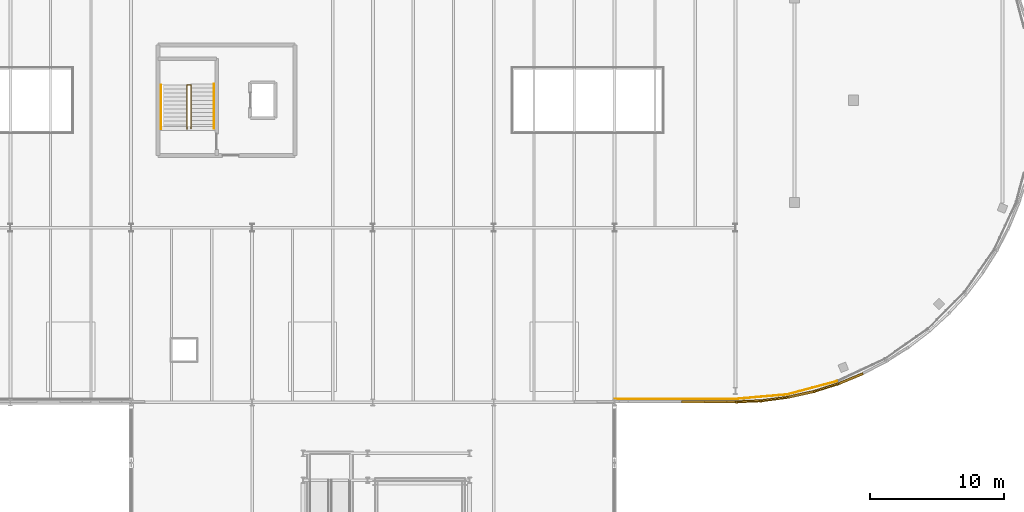
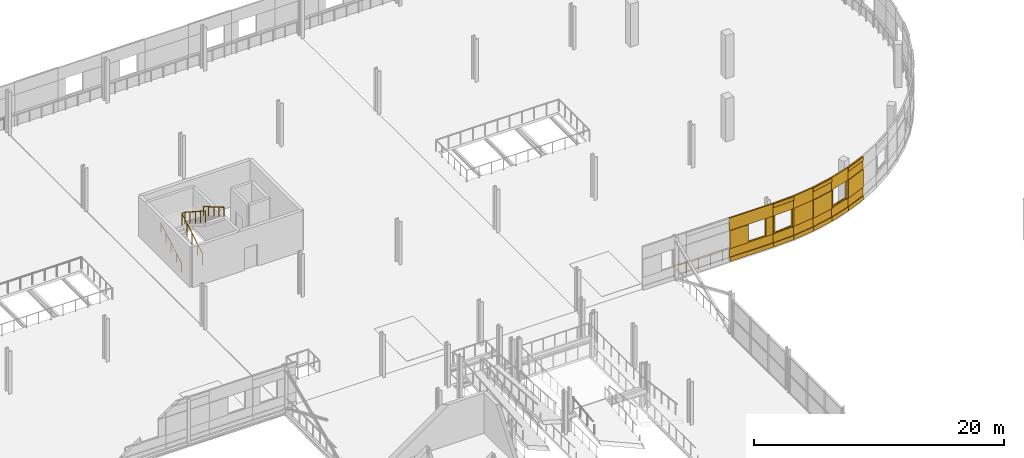
# One storey, part 126 of 132: 30 coverings, 6 railings.
"""IFC4 building model written with IfcOpenShell, lengths in metres."""

from ifc_helpers import new_model, si_unit, direction, frame, origin, origin_2d, place, context, subcontext, project, spatial, rectangle, circle, extrude, material, layer, layer_set, type_object, element, save


model = new_model("IFC4")

# Units and contexts
model_context = context("Model", 3, precision=1e-05, world=origin(), true_north=direction((0.0, 1.0)))
body_context = subcontext(model_context, "Body", "Model", "MODEL_VIEW")
ifc_project = project(units=[si_unit("LENGTHUNIT", "METRE"), si_unit("AREAUNIT", "SQUARE_METRE"), si_unit("VOLUMEUNIT", "CUBIC_METRE"), si_unit("PLANEANGLEUNIT", "RADIAN"), si_unit("MASSUNIT", "GRAM", prefix="KILO")], contexts=[model_context])

# Site, building, storey
site_placement = place(None, origin())
site = spatial("IfcSite", under=ifc_project, at=site_placement, CompositionType="ELEMENT")
building_placement = place(site_placement, origin())
building = spatial("IfcBuilding", under=site, at=building_placement, Name="Deido Ridge Mobility Hub", CompositionType="ELEMENT")
storey_placement = place(building_placement, frame((0.0, 0.0, 8.39990234375)))
storey = spatial("IfcBuildingStorey", under=building, at=storey_placement, Name="L02", CompositionType="ELEMENT", Elevation=8.39990234375)

# Coverings
ifc_material_1 = material(Name="Fired clay brick masonry", Category="masonry")
ifc_layer = layer(ifc_material_1, 0.114990234375, Name="Fired clay brick masonry")
ifc_layer_set = layer_set([ifc_layer], Name="Fired clay brick masonry")
covering_type = type_object("IfcCoveringType", Name="COV-BRK-SCREEN-115", PredefinedType="CLADDING", material=ifc_layer_set)
covering_1_placement = place(storey_placement, frame((117.978271484375, 81.09521484375, 0.0), z_axis=(0.0, 0.0, 1.0), x_axis=(0.999048982732, 0.043601950678, 0.0)))
element("IfcCovering", 1, at=covering_1_placement, inside=storey, type_object=covering_type, Name="Open brickwork spandrel course BKS1 (L02)", PredefinedType="CLADDING", context=body_context, shape_type="SweptSolid", body=[
    extrude(rectangle(XDim=1.9619140625, YDim=0.125, at=origin_2d()), origin(), (0.0, 0.0, 1.0), 1.25),
])
covering_2_placement = place(storey_placement, frame((117.9794921875, 81.067626953125, 0.000244140625), z_axis=(0.0, 0.0, 1.0), x_axis=(0.999048982732, 0.043601950678, 0.0)))
element("IfcCovering", 2, at=covering_2_placement, inside=storey, type_object=covering_type, Name="Raised brick relief belt BKS1 (L02)", PredefinedType="CLADDING", context=body_context, shape_type="SweptSolid", body=[
    extrude(rectangle(XDim=1.9619140625, YDim=0.179931640625, at=origin_2d()), origin(), (0.0, 0.0, 1.0), 0.39990234375),
])
covering_3_placement = place(storey_placement, frame((117.978271484375, 81.09521484375, 3.0), z_axis=(0.0, 0.0, 1.0), x_axis=(0.999048982732, 0.043601950678, 0.0)))
element("IfcCovering", 3, at=covering_3_placement, inside=storey, type_object=covering_type, Name="Open brickwork lintel course BKS1 (L02)", PredefinedType="CLADDING", context=body_context, shape_type="SweptSolid", body=[
    extrude(rectangle(XDim=1.9619140625, YDim=0.125, at=origin_2d()), origin(), (0.0, 0.0, 1.0), 1.199951171875),
])
covering_4_placement = place(storey_placement, frame((117.9794921875, 81.067626953125, 3.83984375), z_axis=(0.0, 0.0, 1.0), x_axis=(0.999048982732, 0.043601950678, 0.0)))
element("IfcCovering", 4, at=covering_4_placement, inside=storey, type_object=covering_type, Name="Raised brick relief cornice BKS1 (L02)", PredefinedType="CLADDING", context=body_context, shape_type="SweptSolid", body=[
    extrude(rectangle(XDim=1.9619140625, YDim=0.179931640625, at=origin_2d()), origin(), (0.0, 0.0, 1.0), 0.360107421875),
])
for number, where, z_axis, x_axis, name in (
    (5, (117.0791015625, 81.0283203125, 1.25), (0.0, 0.0, 1.0), (0.999048982732, 0.043601950678, 0.0), "Curved brick jamb nib BKS1 (L02)"),
    (6, (118.879638671875, 81.10693359375, 1.25), (0.0, 0.0, 1.0), (0.999048982732, 0.043601950678, 0.0), "Curved brick jamb nib BKS1 (L02)"),
):
    element("IfcCovering", number, at=place(storey_placement, frame(where, z_axis=z_axis, x_axis=x_axis)), inside=storey, type_object=covering_type, Name=name, PredefinedType="CLADDING", context=body_context, shape_type="SweptSolid", body=[
        extrude(rectangle(XDim=0.152099609375, YDim=0.179931640625, at=origin_2d()), origin(), (0.0, 0.0, 1.0), 1.75),
    ])
covering_5_placement = place(storey_placement, frame((119.92724609375, 81.265625, 0.0), z_axis=(0.0, 0.0, 1.0), x_axis=(0.991442583111, 0.130543496177, 0.0)))
element("IfcCovering", 7, at=covering_5_placement, inside=storey, type_object=covering_type, Name="Open brickwork spandrel course BKS1 (L02)", PredefinedType="CLADDING", context=body_context, shape_type="SweptSolid", body=[
    extrude(rectangle(XDim=1.9619140625, YDim=0.125, at=origin_2d()), origin(), (0.0, 0.0, 1.0), 1.25),
])
covering_6_placement = place(storey_placement, frame((119.930908203125, 81.23828125, 0.000244140625), z_axis=(0.0, 0.0, 1.0), x_axis=(0.991442583111, 0.130543496177, 0.0)))
element("IfcCovering", 8, at=covering_6_placement, inside=storey, type_object=covering_type, Name="Raised brick relief belt BKS1 (L02)", PredefinedType="CLADDING", context=body_context, shape_type="SweptSolid", body=[
    extrude(rectangle(XDim=1.9619140625, YDim=0.179931640625, at=origin_2d()), origin(), (0.0, 0.0, 1.0), 0.39990234375),
])
covering_7_placement = place(storey_placement, frame((119.92724609375, 81.265625, 3.0), z_axis=(0.0, 0.0, 1.0), x_axis=(0.991442583111, 0.130543496177, 0.0)))
element("IfcCovering", 9, at=covering_7_placement, inside=storey, type_object=covering_type, Name="Open brickwork lintel course BKS1 (L02)", PredefinedType="CLADDING", context=body_context, shape_type="SweptSolid", body=[
    extrude(rectangle(XDim=1.9619140625, YDim=0.125, at=origin_2d()), origin(), (0.0, 0.0, 1.0), 1.199951171875),
])
covering_8_placement = place(storey_placement, frame((119.92724609375, 81.265625, 1.25), z_axis=(0.0, 0.0, 1.0), x_axis=(0.991442583111, 0.130543496177, 0.0)))
element("IfcCovering", 10, at=covering_8_placement, inside=storey, type_object=covering_type, Name="Curved raised brickwork pier BKS1 (L02)", PredefinedType="CLADDING", context=body_context, shape_type="SweptSolid", body=[
    extrude(rectangle(XDim=1.9619140625, YDim=0.125, at=origin_2d()), origin(), (0.0, 0.0, 1.0), 1.75),
])
covering_9_placement = place(storey_placement, frame((121.85400390625, 81.60546875, 0.0), z_axis=(0.0, 0.0, 1.0), x_axis=(0.976292229387, 0.216456653485, 0.0)))
element("IfcCovering", 11, at=covering_9_placement, inside=storey, type_object=covering_type, Name="Open brickwork spandrel course BKS1 (L02)", PredefinedType="CLADDING", context=body_context, shape_type="SweptSolid", body=[
    extrude(rectangle(XDim=1.9619140625, YDim=0.125, at=origin_2d()), origin(), (0.0, 0.0, 1.0), 1.25),
])
covering_10_placement = place(storey_placement, frame((121.85986328125, 81.57861328125, 0.000244140625), z_axis=(0.0, 0.0, 1.0), x_axis=(0.976292229387, 0.216456653485, 0.0)))
element("IfcCovering", 12, at=covering_10_placement, inside=storey, type_object=covering_type, Name="Raised brick relief belt BKS1 (L02)", PredefinedType="CLADDING", context=body_context, shape_type="SweptSolid", body=[
    extrude(rectangle(XDim=1.9619140625, YDim=0.179931640625, at=origin_2d()), origin(), (0.0, 0.0, 1.0), 0.39990234375),
])
covering_11_placement = place(storey_placement, frame((121.85400390625, 81.60546875, 3.0), z_axis=(0.0, 0.0, 1.0), x_axis=(0.976292229387, 0.216456653485, 0.0)))
element("IfcCovering", 13, at=covering_11_placement, inside=storey, type_object=covering_type, Name="Open brickwork lintel course BKS1 (L02)", PredefinedType="CLADDING", context=body_context, shape_type="SweptSolid", body=[
    extrude(rectangle(XDim=1.9619140625, YDim=0.125, at=origin_2d()), origin(), (0.0, 0.0, 1.0), 1.199951171875),
])
covering_12_placement = place(storey_placement, frame((121.85986328125, 81.57861328125, 3.83984375), z_axis=(0.0, 0.0, 1.0), x_axis=(0.976292229387, 0.216456653485, 0.0)))
element("IfcCovering", 14, at=covering_12_placement, inside=storey, type_object=covering_type, Name="Raised brick relief cornice BKS1 (L02)", PredefinedType="CLADDING", context=body_context, shape_type="SweptSolid", body=[
    extrude(rectangle(XDim=1.9619140625, YDim=0.179931640625, at=origin_2d()), origin(), (0.0, 0.0, 1.0), 0.360107421875),
])
covering_13_placement = place(storey_placement, frame((121.85986328125, 81.57861328125, 1.25), z_axis=(0.0, 0.0, 1.0), x_axis=(0.976292229387, 0.216456653485, 0.0)))
element("IfcCovering", 15, at=covering_13_placement, inside=storey, type_object=covering_type, Name="Curved raised brickwork pier BKS1 (L02)", PredefinedType="CLADDING", context=body_context, shape_type="SweptSolid", body=[
    extrude(rectangle(XDim=1.9619140625, YDim=0.179931640625, at=origin_2d()), origin(), (0.0, 0.0, 1.0), 1.75),
])
covering_14_placement = place(storey_placement, frame((123.74365234375, 82.11181640625, 0.0), z_axis=(0.0, 0.0, 1.0), x_axis=(0.95372744678, 0.300672508319, 0.0)))
element("IfcCovering", 16, at=covering_14_placement, inside=storey, type_object=covering_type, Name="Open brickwork spandrel course BKS1 (L02)", PredefinedType="CLADDING", context=body_context, shape_type="SweptSolid", body=[
    extrude(rectangle(XDim=1.9619140625, YDim=0.125, at=origin_2d()), origin(), (0.0, 0.0, 1.0), 1.25),
])
covering_15_placement = place(storey_placement, frame((123.751953125, 82.085693359375, 0.000244140625), z_axis=(0.0, 0.0, 1.0), x_axis=(0.95372744678, 0.300672508319, 0.0)))
element("IfcCovering", 17, at=covering_15_placement, inside=storey, type_object=covering_type, Name="Raised brick relief belt BKS1 (L02)", PredefinedType="CLADDING", context=body_context, shape_type="SweptSolid", body=[
    extrude(rectangle(XDim=1.9619140625, YDim=0.179931640625, at=origin_2d()), origin(), (0.0, 0.0, 1.0), 0.39990234375),
])
covering_16_placement = place(storey_placement, frame((123.74365234375, 82.11181640625, 3.0), z_axis=(0.0, 0.0, 1.0), x_axis=(0.95372744678, 0.300672508319, 0.0)))
element("IfcCovering", 18, at=covering_16_placement, inside=storey, type_object=covering_type, Name="Open brickwork lintel course BKS1 (L02)", PredefinedType="CLADDING", context=body_context, shape_type="SweptSolid", body=[
    extrude(rectangle(XDim=1.9619140625, YDim=0.125, at=origin_2d()), origin(), (0.0, 0.0, 1.0), 1.199951171875),
])
for number, where, z_axis, x_axis, name in (
    (19, (122.892578125, 81.814697265625, 1.25), (0.0, 0.0, 1.0), (0.95372744678, 0.300672508319, 0.0), "Curved brick jamb nib BKS1 (L02)"),
    (20, (124.611328125, 82.3564453125, 1.25), (0.0, 0.0, 1.0), (0.95372744678, 0.300672508319, 0.0), "Curved brick jamb nib BKS1 (L02)"),
):
    element("IfcCovering", number, at=place(storey_placement, frame(where, z_axis=z_axis, x_axis=x_axis)), inside=storey, type_object=covering_type, Name=name, PredefinedType="CLADDING", context=body_context, shape_type="SweptSolid", body=[
        extrude(rectangle(XDim=0.152099609375, YDim=0.179931640625, at=origin_2d()), origin(), (0.0, 0.0, 1.0), 1.75),
    ])
covering_17_placement = place(storey_placement, frame((125.58203125, 82.781005859375, 0.0), z_axis=(0.0, 0.0, 1.0), x_axis=(0.923872853285, 0.382699557047, 0.0)))
element("IfcCovering", 21, at=covering_17_placement, inside=storey, type_object=covering_type, Name="Open brickwork spandrel course BKS1 (L02)", PredefinedType="CLADDING", context=body_context, shape_type="SweptSolid", body=[
    extrude(rectangle(XDim=1.9619140625, YDim=0.125, at=origin_2d()), origin(), (0.0, 0.0, 1.0), 1.25),
])
covering_18_placement = place(storey_placement, frame((125.5927734375, 82.755615234375, 0.000244140625), z_axis=(0.0, 0.0, 1.0), x_axis=(0.923872853285, 0.382699557047, 0.0)))
element("IfcCovering", 22, at=covering_18_placement, inside=storey, type_object=covering_type, Name="Raised brick relief belt BKS1 (L02)", PredefinedType="CLADDING", context=body_context, shape_type="SweptSolid", body=[
    extrude(rectangle(XDim=1.9619140625, YDim=0.179931640625, at=origin_2d()), origin(), (0.0, 0.0, 1.0), 0.39990234375),
])
covering_19_placement = place(storey_placement, frame((125.58203125, 82.781005859375, 3.0), z_axis=(0.0, 0.0, 1.0), x_axis=(0.923872853285, 0.382699557047, 0.0)))
element("IfcCovering", 23, at=covering_19_placement, inside=storey, type_object=covering_type, Name="Open brickwork lintel course BKS1 (L02)", PredefinedType="CLADDING", context=body_context, shape_type="SweptSolid", body=[
    extrude(rectangle(XDim=1.9619140625, YDim=0.125, at=origin_2d()), origin(), (0.0, 0.0, 1.0), 1.199951171875),
])
covering_20_placement = place(storey_placement, frame((125.5927734375, 82.755615234375, 3.83984375), z_axis=(0.0, 0.0, 1.0), x_axis=(0.923872853285, 0.382699557047, 0.0)))
element("IfcCovering", 24, at=covering_20_placement, inside=storey, type_object=covering_type, Name="Raised brick relief cornice BKS1 (L02)", PredefinedType="CLADDING", context=body_context, shape_type="SweptSolid", body=[
    extrude(rectangle(XDim=1.9619140625, YDim=0.179931640625, at=origin_2d()), origin(), (0.0, 0.0, 1.0), 0.360107421875),
])
covering_21_placement = place(storey_placement, frame((125.5927734375, 82.755615234375, 1.25), z_axis=(0.0, 0.0, 1.0), x_axis=(0.923872853285, 0.382699557047, 0.0)))
element("IfcCovering", 25, at=covering_21_placement, inside=storey, type_object=covering_type, Name="Curved raised brickwork pier BKS1 (L02)", PredefinedType="CLADDING", context=body_context, shape_type="SweptSolid", body=[
    extrude(rectangle(XDim=1.9619140625, YDim=0.179931640625, at=origin_2d()), origin(), (0.0, 0.0, 1.0), 1.75),
])
covering_22_placement = place(storey_placement, frame((115.0, 81.052490234375, 0.0), z_axis=(0.0, 0.0, 1.0), x_axis=(1.0, 0.0, 0.0)))
element("IfcCovering", 26, at=covering_22_placement, inside=storey, type_object=covering_type, Name="Open brickwork spandrel course BKS1 (L02)", PredefinedType="CLADDING", context=body_context, shape_type="SweptSolid", body=[
    extrude(rectangle(XDim=4.01611328125, YDim=0.125, at=origin_2d()), origin(), (0.0, 0.0, 1.0), 1.25),
])
covering_23_placement = place(storey_placement, frame((115.0, 81.02490234375, 0.000244140625), z_axis=(0.0, 0.0, 1.0), x_axis=(1.0, 0.0, 0.0)))
element("IfcCovering", 27, at=covering_23_placement, inside=storey, type_object=covering_type, Name="Raised brick relief belt BKS1 (L02)", PredefinedType="CLADDING", context=body_context, shape_type="SweptSolid", body=[
    extrude(rectangle(XDim=4.01611328125, YDim=0.179931640625, at=origin_2d()), origin(), (0.0, 0.0, 1.0), 0.39990234375),
])
covering_24_placement = place(storey_placement, frame((115.0, 81.052490234375, 3.0), z_axis=(0.0, 0.0, 1.0), x_axis=(1.0, 0.0, 0.0)))
element("IfcCovering", 28, at=covering_24_placement, inside=storey, type_object=covering_type, Name="Open brickwork lintel course BKS1 (L02)", PredefinedType="CLADDING", context=body_context, shape_type="SweptSolid", body=[
    extrude(rectangle(XDim=4.01611328125, YDim=0.125, at=origin_2d()), origin(), (0.0, 0.0, 1.0), 1.199951171875),
])
covering_25_placement = place(storey_placement, frame((113.847412109375, 81.02490234375, 1.25), z_axis=(0.0, 0.0, 1.0), x_axis=(1.0, 0.0, 0.0)))
element("IfcCovering", 29, at=covering_25_placement, inside=storey, type_object=covering_type, Name="Open brickwork pier BKS1 (L02)", PredefinedType="CLADDING", context=body_context, shape_type="SweptSolid", body=[
    extrude(rectangle(XDim=1.695068359375, YDim=0.179931640625, at=origin_2d()), origin(), (0.0, 0.0, 1.0), 1.75),
])
covering_26_placement = place(storey_placement, frame((116.672607421875, 81.052490234375, 1.25), z_axis=(0.0, 0.0, 1.0), x_axis=(1.0, 0.0, 0.0)))
element("IfcCovering", 30, at=covering_26_placement, inside=storey, type_object=covering_type, Name="Open brickwork pier BKS1 (L02)", PredefinedType="CLADDING", context=body_context, shape_type="SweptSolid", body=[
    extrude(rectangle(XDim=0.655029296875, YDim=0.125, at=origin_2d()), origin(), (0.0, 0.0, 1.0), 1.75),
])

# Railings
ifc_material_2 = material(Name="Galvanised steel work", Category="steel")
railing_type_1 = type_object("IfcRailingType", Name="RL-GRD-EXT-1150", PredefinedType="GUARDRAIL", material=ifc_material_2)
railing_1_placement = place(storey_placement, frame((117.039794921875, 81.25341796875, 0.0)))
element("IfcRailing", 31, at=railing_1_placement, inside=storey, type_object=railing_type_1, Name="Parking drum perimeter guard (L02)", PredefinedType="GUARDRAIL", context=body_context, shape_type="SweptSolid", body=[
    extrude(circle(Radius=0.02392578125, at=origin_2d()), frame((0.0, 0.0, 1.1259765625), z_axis=(0.996195112607, 0.08715100469, 0.0), x_axis=(-0.08715100469, 0.996195112607, 0.0)), (0.0, 0.0, 1.0), 3.798583984375),
    extrude(circle(Radius=0.02099609375, at=origin_2d()), origin(), (0.0, 0.0, 1.0), 1.101806640625),
    extrude(circle(Radius=0.02099609375, at=origin_2d()), frame((0.946044921875, 0.082763671875, 0.0)), (0.0, 0.0, 1.0), 1.101806640625),
    extrude(circle(Radius=0.02099609375, at=origin_2d()), frame((1.89208984375, 0.16552734375, 0.0)), (0.0, 0.0, 1.0), 1.101806640625),
    extrude(circle(Radius=0.02099609375, at=origin_2d()), frame((2.838134765625, 0.248291015625, 0.0)), (0.0, 0.0, 1.0), 1.101806640625),
    extrude(circle(Radius=0.02099609375, at=origin_2d()), frame((3.7841796875, 0.3310546875, 0.0)), (0.0, 0.0, 1.0), 1.101806640625),
])
railing_2_placement = place(storey_placement, frame((120.90234375, 81.598388671875, 0.0)))
element("IfcRailing", 32, at=railing_2_placement, inside=storey, type_object=railing_type_1, Name="Parking drum perimeter guard (L02)", PredefinedType="GUARDRAIL", context=body_context, shape_type="SweptSolid", body=[
    extrude(circle(Radius=0.02392578125, at=origin_2d()), frame((0.0, 0.0, 1.1259765625), z_axis=(0.965937723757, 0.258774639064, 0.0), x_axis=(-0.258774639064, 0.965937723757, 0.0)), (0.0, 0.0, 1.0), 3.79833984375),
    extrude(circle(Radius=0.02099609375, at=origin_2d()), origin(), (0.0, 0.0, 1.0), 1.101806640625),
    extrude(circle(Radius=0.02099609375, at=origin_2d()), frame((0.917236328125, 0.24560546875, 0.0)), (0.0, 0.0, 1.0), 1.101806640625),
    extrude(circle(Radius=0.02099609375, at=origin_2d()), frame((1.83447265625, 0.491455078125, 0.0)), (0.0, 0.0, 1.0), 1.101806640625),
    extrude(circle(Radius=0.02099609375, at=origin_2d()), frame((2.751708984375, 0.7373046875, 0.0)), (0.0, 0.0, 1.0), 1.101806640625),
    extrude(circle(Radius=0.02099609375, at=origin_2d()), frame((3.6689453125, 0.98291015625, 0.0)), (0.0, 0.0, 1.0), 1.101806640625),
])
railing_3_placement = place(storey_placement, frame((108.0400390625, 81.25, 0.0)))
element("IfcRailing", 33, at=railing_3_placement, inside=storey, type_object=railing_type_1, Name="Parking drum perimeter guard (L02)", PredefinedType="GUARDRAIL", context=body_context, shape_type="SweptSolid", body=[
    extrude(circle(Radius=0.02392578125, at=origin_2d()), frame((0.0, 0.0, 1.1259765625), z_axis=(1.0, 0.0, 0.0), x_axis=(0.0, 1.0, 0.0)), (0.0, 0.0, 1.0), 8.919921875),
    extrude(circle(Radius=0.02099609375, at=origin_2d()), origin(), (0.0, 0.0, 1.0), 1.101806640625),
    extrude(circle(Radius=0.02099609375, at=origin_2d()), frame((1.114990234375, 0.0, 0.0)), (0.0, 0.0, 1.0), 1.101806640625),
    extrude(circle(Radius=0.02099609375, at=origin_2d()), frame((2.22998046875, 0.0, 0.0)), (0.0, 0.0, 1.0), 1.101806640625),
    extrude(circle(Radius=0.02099609375, at=origin_2d()), frame((3.344970703125, 0.0, 0.0)), (0.0, 0.0, 1.0), 1.101806640625),
    extrude(circle(Radius=0.02099609375, at=origin_2d()), frame((4.4599609375, 0.0, 0.0)), (0.0, 0.0, 1.0), 1.101806640625),
    extrude(circle(Radius=0.02099609375, at=origin_2d()), frame((5.574951171875, 0.0, 0.0)), (0.0, 0.0, 1.0), 1.101806640625),
    extrude(circle(Radius=0.02099609375, at=origin_2d()), frame((6.68994140625, 0.0, 0.0)), (0.0, 0.0, 1.0), 1.101806640625),
    extrude(circle(Radius=0.02099609375, at=origin_2d()), frame((7.804931640625, 0.0, 0.0)), (0.0, 0.0, 1.0), 1.101806640625),
    extrude(circle(Radius=0.02099609375, at=origin_2d()), frame((8.919921875, 0.0, 0.0)), (0.0, 0.0, 1.0), 1.101806640625),
])
railing_type_2 = type_object("IfcRailingType", Name="RL-STAIR-GRD-1150", PredefinedType="GUARDRAIL", material=ifc_material_2)
railing_4_placement = place(storey_placement, frame((76.14990234375, 101.35009765625, 0.175048828125)))
element("IfcRailing", 34, at=railing_4_placement, inside=storey, type_object=railing_type_2, Name="ST5 inner well guard (L02)", PredefinedType="GUARDRAIL", context=body_context, shape_type="SweptSolid", body=[
    extrude(circle(Radius=0.02392578125, at=origin_2d()), frame((0.0, 0.0, 1.1259765625), z_axis=(0.0, 0.863760357493, 0.503902812876), x_axis=(-1.0, 0.0, 0.0)), (0.0, 0.0, 1.0), 3.8203125),
    extrude(circle(Radius=0.02392578125, at=origin_2d()), frame((0.0, 3.2998046875, 3.05078125), z_axis=(1.0, 0.0, 0.0), x_axis=(0.0, 1.0, 0.0)), (0.0, 0.0, 1.0), 0.300048828125),
    extrude(circle(Radius=0.02392578125, at=origin_2d()), frame((0.300048828125, 3.2998046875, 3.05078125), z_axis=(0.0, -0.839905164138, 0.542733189748), x_axis=(1.0, 0.0, 0.0)), (0.0, 0.0, 1.0), 3.869384765625),
    extrude(circle(Radius=0.02099609375, at=origin_2d()), origin(), (0.0, 0.0, 1.0), 1.101806640625),
    extrude(circle(Radius=0.02099609375, at=origin_2d()), frame((0.0, 0.824951171875, 0.481201171875)), (0.0, 0.0, 1.0), 1.101806640625),
    extrude(circle(Radius=0.02099609375, at=origin_2d()), frame((0.0, 1.64990234375, 0.96240234375)), (0.0, 0.0, 1.0), 1.101806640625),
    extrude(circle(Radius=0.02099609375, at=origin_2d()), frame((0.0, 2.474853515625, 1.44384765625)), (0.0, 0.0, 1.0), 1.101806640625),
    extrude(circle(Radius=0.02099609375, at=origin_2d()), frame((0.0, 3.2998046875, 1.925048828125)), (0.0, 0.0, 1.0), 1.101806640625),
    extrude(circle(Radius=0.02099609375, at=origin_2d()), frame((0.300048828125, 3.2998046875, 1.925048828125)), (0.0, 0.0, 1.0), 1.101806640625),
    extrude(circle(Radius=0.02099609375, at=origin_2d()), frame((0.300048828125, 2.4873046875, 2.4501953125)), (0.0, 0.0, 1.0), 1.101806640625),
    extrude(circle(Radius=0.02099609375, at=origin_2d()), frame((0.300048828125, 1.6748046875, 2.97509765625)), (0.0, 0.0, 1.0), 1.101806640625),
    extrude(circle(Radius=0.02099609375, at=origin_2d()), frame((0.300048828125, 0.8623046875, 3.5)), (0.0, 0.0, 1.0), 1.101806640625),
    extrude(circle(Radius=0.02099609375, at=origin_2d()), frame((0.300048828125, 0.0498046875, 4.025146484375)), (0.0, 0.0, 1.0), 1.101806640625),
])
ifc_material_3 = material(Name="Stainless steel 316", Category="steel")
railing_type_3 = type_object("IfcRailingType", Name="RL-STAIR-HND-900", PredefinedType="HANDRAIL", material=ifc_material_3)
railing_5_placement = place(storey_placement, frame((74.2099609375, 101.35009765625, 0.175048828125)))
element("IfcRailing", 35, at=railing_5_placement, inside=storey, type_object=railing_type_3, Name="ST5 flight 1 handrail (L02)", PredefinedType="HANDRAIL", context=body_context, shape_type="SweptSolid", body=[
    extrude(circle(Radius=0.02392578125, at=origin_2d()), frame((0.0, 0.0, 0.8759765625), z_axis=(0.0, 0.863760357493, 0.503902812876), x_axis=(-1.0, 0.0, 0.0)), (0.0, 0.0, 1.0), 3.8203125),
    extrude(circle(Radius=0.02099609375, at=origin_2d()), origin(), (0.0, 0.0, 1.0), 0.851806640625),
    extrude(circle(Radius=0.02099609375, at=origin_2d()), frame((0.0, 0.824951171875, 0.481201171875)), (0.0, 0.0, 1.0), 0.851806640625),
    extrude(circle(Radius=0.02099609375, at=origin_2d()), frame((0.0, 1.64990234375, 0.96240234375)), (0.0, 0.0, 1.0), 0.851806640625),
    extrude(circle(Radius=0.02099609375, at=origin_2d()), frame((0.0, 2.474853515625, 1.44384765625)), (0.0, 0.0, 1.0), 0.851806640625),
    extrude(circle(Radius=0.02099609375, at=origin_2d()), frame((0.0, 3.2998046875, 1.925048828125)), (0.0, 0.0, 1.0), 0.851806640625),
])
railing_6_placement = place(storey_placement, frame((78.175048828125, 104.699951171875, 2.275146484375)))
element("IfcRailing", 36, at=railing_6_placement, inside=storey, type_object=railing_type_3, Name="ST5 flight 2 handrail (L02)", PredefinedType="HANDRAIL", context=body_context, shape_type="SweptSolid", body=[
    extrude(circle(Radius=0.02392578125, at=origin_2d()), frame((0.0, 0.0, 0.8759765625), z_axis=(0.0, -0.863776583165, 0.503874998761), x_axis=(1.0, 0.0, 0.0)), (0.0, 0.0, 1.0), 3.820556640625),
    extrude(circle(Radius=0.02099609375, at=origin_2d()), origin(), (0.0, 0.0, 1.0), 0.851806640625),
    extrude(circle(Radius=0.02099609375, at=origin_2d()), frame((0.0, -0.824951171875, 0.481201171875)), (0.0, 0.0, 1.0), 0.851806640625),
    extrude(circle(Radius=0.02099609375, at=origin_2d()), frame((0.0, -1.64990234375, 0.96240234375)), (0.0, 0.0, 1.0), 0.851806640625),
    extrude(circle(Radius=0.02099609375, at=origin_2d()), frame((0.0, -2.47509765625, 1.44384765625)), (0.0, 0.0, 1.0), 0.851806640625),
    extrude(circle(Radius=0.02099609375, at=origin_2d()), frame((0.0, -3.300048828125, 1.925048828125)), (0.0, 0.0, 1.0), 0.851806640625),
])

save(model, "model.ifc")
